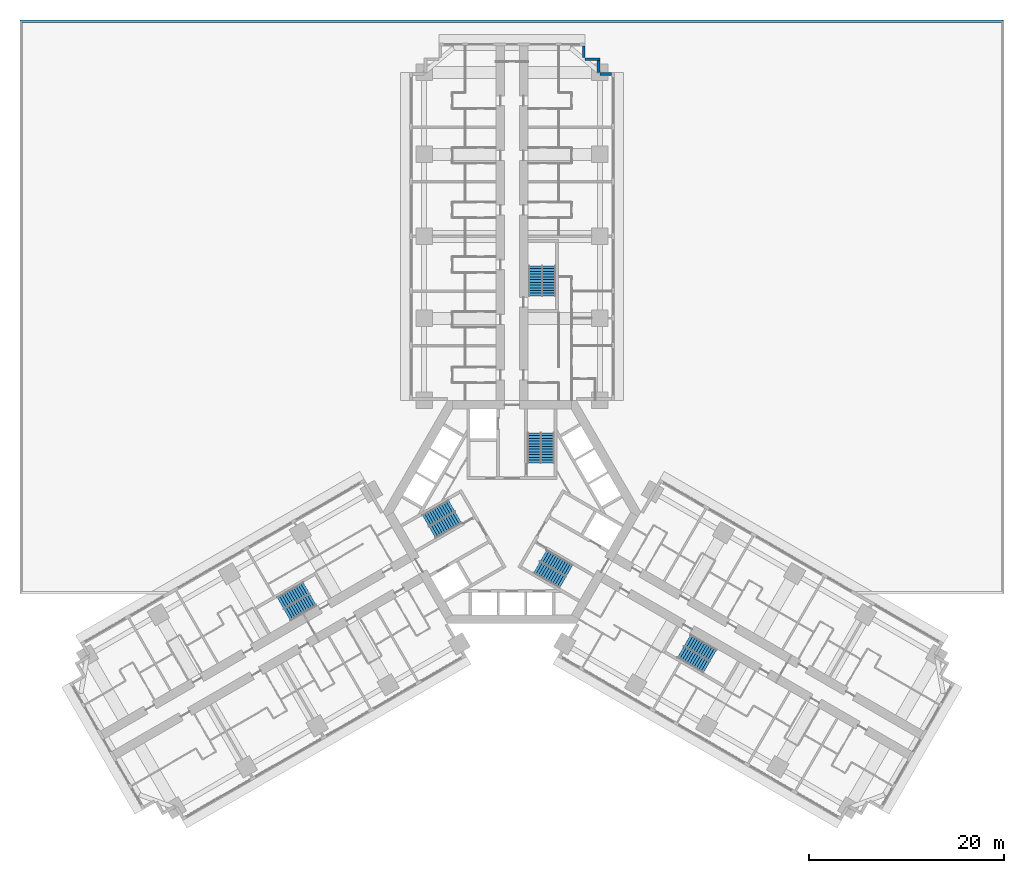
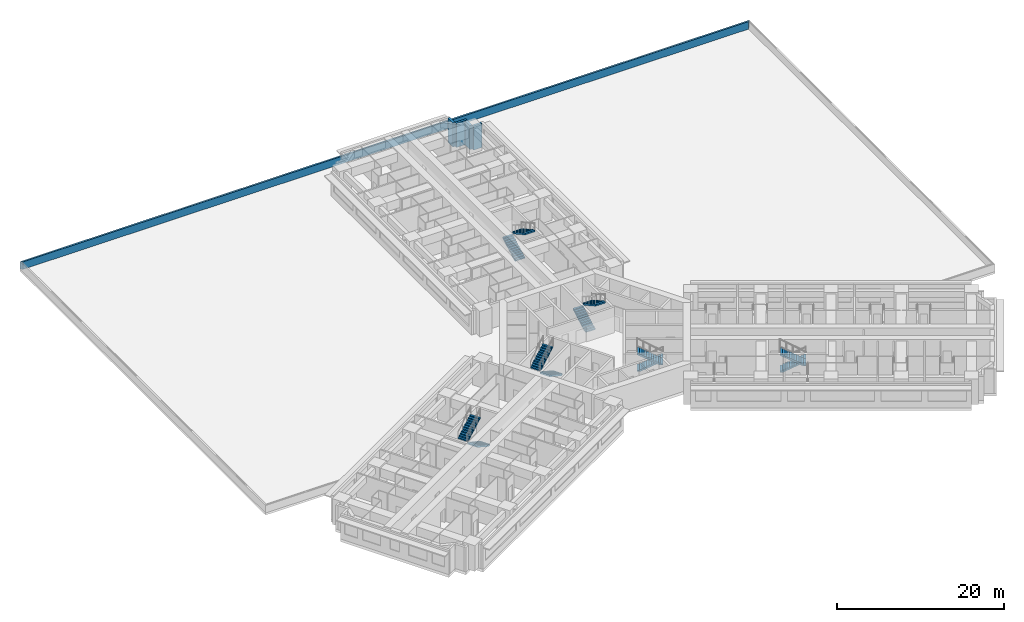
# One storey, part 15 of 18: 12 stair flights, 5 walls, 6 elements without a shape of their own.
"""IFC4 building model written with IfcOpenShell, lengths in metres."""

from ifc_helpers import new_model, si_unit, direction, frame, frame_2d, origin, place, context, subcontext, project, spatial, polyline, rectangle, outline, extrude, material, layer, layer_set, type_object, element, aggregate, save


model = new_model("IFC4")

# Units and contexts
model_context = context("Model", 3, precision=1e-05, world=origin(), true_north=direction((0.0, 1.0)))
body_context = subcontext(model_context, "Body", "Model", "MODEL_VIEW")
ifc_project = project(units=[si_unit("LENGTHUNIT", "METRE"), si_unit("AREAUNIT", "SQUARE_METRE"), si_unit("VOLUMEUNIT", "CUBIC_METRE"), si_unit("PLANEANGLEUNIT", "RADIAN"), si_unit("MASSUNIT", "GRAM", prefix="KILO")], contexts=[model_context])

# Site, building, storey
site_placement = place(None, origin())
site = spatial("IfcSite", under=ifc_project, at=site_placement, CompositionType="ELEMENT")
building_placement = place(site_placement, origin())
building = spatial("IfcBuilding", under=site, at=building_placement, Name="Impinga Residences", CompositionType="ELEMENT")
storey_placement = place(building_placement, frame((0.0, 0.0, 26.0)))
storey = spatial("IfcBuildingStorey", under=building, at=storey_placement, Name="L05", CompositionType="ELEMENT", Elevation=26.0)

# Walls
ifc_material_1 = material(Name="Terracotta rainscreen on blockwork", Category="masonry")
ifc_layer_1 = layer(ifc_material_1, 0.300048828125)
ifc_layer_set_1 = layer_set([ifc_layer_1], Name="EW1 external wall, terracotta rainscreen on blockwork 300")
wall_type_1 = type_object("IfcWallType", Name="EW1 external wall, terracotta rainscreen on blockwork 300", PredefinedType="SOLIDWALL", material=ifc_layer_set_1)
wall_1_placement = place(storey_placement, frame((7.35009765625, 47.7314453125, 0.0), z_axis=(0.0, 0.0, 1.0), x_axis=(0.0, -1.0, 0.0)))
element("IfcWall", 1, at=wall_1_placement, inside=storey, type_object=wall_type_1, Name="External wall EW1 L05", PredefinedType="SOLIDWALL", context=body_context, shape_type="SweptSolid", body=[
    extrude(rectangle(XDim=1.19482421875, YDim=0.300048828125, at=frame_2d((0.597412109375, 0.0))), origin(), (0.0, 0.0, 1.0), 3.530029296875),
])
wall_2_placement = place(storey_placement, frame((7.5, 46.381591796875, 0.0), z_axis=(0.0, 0.0, 1.0), x_axis=(1.0, 0.0, 0.0)))
element("IfcWall", 2, at=wall_2_placement, inside=storey, type_object=wall_type_1, Name="External wall EW1 L05", PredefinedType="SOLIDWALL", context=body_context, shape_type="SweptSolid", body=[
    extrude(rectangle(XDim=1.5, YDim=0.300048828125, at=frame_2d((0.75, 0.0))), origin(), (0.0, 0.0, 1.0), 3.530029296875),
])
wall_3_placement = place(storey_placement, frame((8.85009765625, 46.2314453125, 0.0), z_axis=(0.0, 0.0, 1.0), x_axis=(0.0, -1.0, 0.0)))
element("IfcWall", 3, at=wall_3_placement, inside=storey, type_object=wall_type_1, Name="External wall EW1 L05", PredefinedType="SOLIDWALL", context=body_context, shape_type="SweptSolid", body=[
    extrude(rectangle(XDim=1.199951171875, YDim=0.300048828125, at=frame_2d((0.60009765625, 0.0))), origin(), (0.0, 0.0, 1.0), 3.530029296875),
])
wall_4_placement = place(storey_placement, frame((9.0048828125, 44.881591796875, 0.0), z_axis=(0.0, 0.0, 1.0), x_axis=(1.0, 0.0, 0.0)))
element("IfcWall", 4, at=wall_4_placement, inside=storey, type_object=wall_type_1, Name="External wall EW1 L05", PredefinedType="SOLIDWALL", context=body_context, shape_type="SweptSolid", body=[
    extrude(rectangle(XDim=1.195068359375, YDim=0.300048828125, at=frame_2d((0.59765625, 0.0))), origin(), (0.0, 0.0, 1.0), 3.530029296875),
])
ifc_material_2 = material(Name="Concrete C60/75", Category="concrete")
ifc_layer_2 = layer(ifc_material_2, 0.25)
ifc_layer_set_2 = layer_set([ifc_layer_2], Name="Concrete C60/75")
wall_type_2 = type_object("IfcWallType", Name="PA1 roof parapet 250", PredefinedType="PARAPET", material=ifc_layer_set_2)
wall_5_placement = place(storey_placement, origin())
element("IfcWall", 5, at=wall_5_placement, inside=storey, type_object=wall_type_2, Name="Parapet PA1 L05", PredefinedType="PARAPET", context=body_context, shape_type="SweptSolid", body=[
    extrude(outline(polyline([(-50.39990234375, 50.39990234375), (50.39990234375, 50.39990234375), (50.14990234375, 50.14990234375), (-50.14990234375, 50.14990234375), (-50.39990234375, 50.39990234375)])), origin(), (0.0, 0.0, 1.0), 1.10009765625),
])

# Stair, stair flights
ifc_material_3 = material(Name="Concrete C40/50", Category="concrete")
stair_type_1 = type_object("IfcStairType", Name="STR core stair 3750 storey, 24 risers", PredefinedType="HALF_TURN_STAIR", material=ifc_material_3)
stair_1_placement = place(storey_placement, origin())
stair_1 = element("IfcStair", 6, at=stair_1_placement, inside=storey, type_object=stair_type_1, Name="Stair ST1 L05", PredefinedType="HALF_TURN_STAIR")
stair_flight_type = type_object("IfcStairFlightType", Name="SF 12 risers of 156", PredefinedType="STRAIGHT", material=ifc_material_3)
stair_flight_1_placement = place(storey_placement, frame((2.27490234375, 5.030029296875, 0.0), z_axis=(0.0, 0.0, 1.0), x_axis=(0.0, 1.0, 0.0)))
stair_flight_1 = element("IfcStairFlight", 7, at=stair_flight_1_placement, type_object=stair_flight_type, Name="ST1 flight 1", NumberOfRisers=12, NumberOfTreads=11, PredefinedType="STRAIGHT", RiserHeight=0.15625, TreadLength=0.28, context=body_context, shape_type="SweptSolid", body=[
    extrude(outline(polyline([(0.0, 0.0), (0.0, 0.15625), (0.280029296875, 0.15625), (0.280029296875, 0.3125), (0.56005859375, 0.3125), (0.56005859375, 0.46875), (0.840087890625, 0.46875), (0.840087890625, 0.625), (1.1201171875, 0.625), (1.1201171875, 0.78125), (1.39990234375, 0.78125), (1.39990234375, 0.9375), (1.679931640625, 0.9375), (1.679931640625, 1.09375), (1.9599609375, 1.09375), (1.9599609375, 1.25), (2.239990234375, 1.25), (2.239990234375, 1.40625), (2.52001953125, 1.40625), (2.52001953125, 1.5625), (2.800048828125, 1.5625), (2.800048828125, 1.71875), (3.080078125, 1.71875), (3.080078125, 1.875), (3.080078125, 1.5126953125), (0.369140625, 0.0), (0.0, 0.0)])), frame((0.0, 0.675048828125, 0.0), z_axis=(0.0, -1.0, 0.0), x_axis=(1.0, 0.0, 0.0)), (0.0, 0.0, 1.0), 1.35009765625),
])
stair_flight_2_placement = place(storey_placement, frame((3.625, 8.110107421875, 1.875), z_axis=(0.0, 0.0, 1.0), x_axis=(0.0, -1.0, 0.0)))
stair_flight_2 = element("IfcStairFlight", 8, at=stair_flight_2_placement, type_object=stair_flight_type, Name="ST1 flight 2", NumberOfRisers=12, NumberOfTreads=11, PredefinedType="STRAIGHT", RiserHeight=0.15625, TreadLength=0.28, context=body_context, shape_type="SweptSolid", body=[
    extrude(outline(polyline([(0.0, 0.0), (0.0, 0.15625), (0.280029296875, 0.15625), (0.280029296875, 0.3125), (0.56005859375, 0.3125), (0.56005859375, 0.46875), (0.840087890625, 0.46875), (0.840087890625, 0.625), (1.1201171875, 0.625), (1.1201171875, 0.78125), (1.39990234375, 0.78125), (1.39990234375, 0.9375), (1.679931640625, 0.9375), (1.679931640625, 1.09375), (1.9599609375, 1.09375), (1.9599609375, 1.25), (2.239990234375, 1.25), (2.239990234375, 1.40625), (2.52001953125, 1.40625), (2.52001953125, 1.5625), (2.800048828125, 1.5625), (2.800048828125, 1.71875), (3.080078125, 1.71875), (3.080078125, 1.875), (3.080078125, 1.5126953125), (0.369140625, 0.0), (0.0, 0.0)])), frame((0.0, 0.675048828125, 0.0), z_axis=(0.0, -1.0, 0.0), x_axis=(1.0, 0.0, 0.0)), (0.0, 0.0, 1.0), 1.35009765625),
])
aggregate(stair_1, [stair_flight_1, stair_flight_2])

stair_2_placement = place(storey_placement, origin())
stair_2 = element("IfcStair", 9, at=stair_2_placement, inside=storey, type_object=stair_type_1, Name="Stair ST2 L05", PredefinedType="HALF_TURN_STAIR")
stair_flight_3_placement = place(storey_placement, frame((-5.49365234375, -0.544677734375, 0.0), z_axis=(0.0, 0.0, 1.0), x_axis=(-0.866025403784, -0.5, 0.0)))
stair_flight_3 = element("IfcStairFlight", 10, at=stair_flight_3_placement, type_object=stair_flight_type, Name="ST2 flight 1", NumberOfRisers=12, NumberOfTreads=11, PredefinedType="STRAIGHT", RiserHeight=0.15625, TreadLength=0.28, context=body_context, shape_type="SweptSolid", body=[
    extrude(outline(polyline([(0.0, 0.0), (0.0, 0.15625), (0.280029296875, 0.15625), (0.280029296875, 0.3125), (0.56005859375, 0.3125), (0.56005859375, 0.46875), (0.840087890625, 0.46875), (0.840087890625, 0.625), (1.1201171875, 0.625), (1.1201171875, 0.78125), (1.39990234375, 0.78125), (1.39990234375, 0.9375), (1.679931640625, 0.9375), (1.679931640625, 1.09375), (1.9599609375, 1.09375), (1.9599609375, 1.25), (2.239990234375, 1.25), (2.239990234375, 1.40625), (2.52001953125, 1.40625), (2.52001953125, 1.5625), (2.800048828125, 1.5625), (2.800048828125, 1.71875), (3.080078125, 1.71875), (3.080078125, 1.875), (3.080078125, 1.5126953125), (0.369140625, 0.0), (0.0, 0.0)])), frame((0.0, 0.675048828125, 0.0), z_axis=(0.0, -1.0, 0.0), x_axis=(1.0, 0.0, 0.0)), (0.0, 0.0, 1.0), 1.35009765625),
])
stair_flight_4_placement = place(storey_placement, frame((-8.8359375, -0.915771484375, 1.875), z_axis=(0.0, 0.0, 1.0), x_axis=(0.866025403784, 0.5, 0.0)))
stair_flight_4 = element("IfcStairFlight", 11, at=stair_flight_4_placement, type_object=stair_flight_type, Name="ST2 flight 2", NumberOfRisers=12, NumberOfTreads=11, PredefinedType="STRAIGHT", RiserHeight=0.15625, TreadLength=0.28, context=body_context, shape_type="SweptSolid", body=[
    extrude(outline(polyline([(0.0, 0.0), (0.0, 0.15625), (0.280029296875, 0.15625), (0.280029296875, 0.3125), (0.56005859375, 0.3125), (0.56005859375, 0.46875), (0.840087890625, 0.46875), (0.840087890625, 0.625), (1.1201171875, 0.625), (1.1201171875, 0.78125), (1.39990234375, 0.78125), (1.39990234375, 0.9375), (1.679931640625, 0.9375), (1.679931640625, 1.09375), (1.9599609375, 1.09375), (1.9599609375, 1.25), (2.239990234375, 1.25), (2.239990234375, 1.40625), (2.52001953125, 1.40625), (2.52001953125, 1.5625), (2.800048828125, 1.5625), (2.800048828125, 1.71875), (3.080078125, 1.71875), (3.080078125, 1.875), (3.080078125, 1.5126953125), (0.369140625, 0.0), (0.0, 0.0)])), frame((0.0, 0.675048828125, 0.0), z_axis=(0.0, -1.0, 0.0), x_axis=(1.0, 0.0, 0.0)), (0.0, 0.0, 1.0), 1.35009765625),
])
aggregate(stair_2, [stair_flight_3, stair_flight_4])

stair_3_placement = place(storey_placement, origin())
stair_3 = element("IfcStair", 12, at=stair_3_placement, inside=storey, type_object=stair_type_1, Name="Stair ST3 L05", PredefinedType="HALF_TURN_STAIR")
stair_flight_5_placement = place(storey_placement, frame((3.218505859375, -4.485107421875, 0.0), z_axis=(0.0, 0.0, 1.0), x_axis=(0.866025403784, -0.5, 0.0)))
stair_flight_5 = element("IfcStairFlight", 13, at=stair_flight_5_placement, type_object=stair_flight_type, Name="ST3 flight 1", NumberOfRisers=12, NumberOfTreads=11, PredefinedType="STRAIGHT", RiserHeight=0.15625, TreadLength=0.28, context=body_context, shape_type="SweptSolid", body=[
    extrude(outline(polyline([(0.0, 0.0), (0.0, 0.15625), (0.280029296875, 0.15625), (0.280029296875, 0.3125), (0.56005859375, 0.3125), (0.56005859375, 0.46875), (0.840087890625, 0.46875), (0.840087890625, 0.625), (1.1201171875, 0.625), (1.1201171875, 0.78125), (1.39990234375, 0.78125), (1.39990234375, 0.9375), (1.679931640625, 0.9375), (1.679931640625, 1.09375), (1.9599609375, 1.09375), (1.9599609375, 1.25), (2.239990234375, 1.25), (2.239990234375, 1.40625), (2.52001953125, 1.40625), (2.52001953125, 1.5625), (2.800048828125, 1.5625), (2.800048828125, 1.71875), (3.080078125, 1.71875), (3.080078125, 1.875), (3.080078125, 1.5126953125), (0.369140625, 0.0), (0.0, 0.0)])), frame((0.0, 0.675048828125, 0.0), z_axis=(0.0, -1.0, 0.0), x_axis=(1.0, 0.0, 0.0)), (0.0, 0.0, 1.0), 1.35009765625),
])
stair_flight_6_placement = place(storey_placement, frame((5.2109375, -7.1943359375, 1.875), z_axis=(0.0, 0.0, 1.0), x_axis=(-0.866025403784, 0.5, 0.0)))
stair_flight_6 = element("IfcStairFlight", 14, at=stair_flight_6_placement, type_object=stair_flight_type, Name="ST3 flight 2", NumberOfRisers=12, NumberOfTreads=11, PredefinedType="STRAIGHT", RiserHeight=0.15625, TreadLength=0.28, context=body_context, shape_type="SweptSolid", body=[
    extrude(outline(polyline([(0.0, 0.0), (0.0, 0.15625), (0.280029296875, 0.15625), (0.280029296875, 0.3125), (0.56005859375, 0.3125), (0.56005859375, 0.46875), (0.840087890625, 0.46875), (0.840087890625, 0.625), (1.1201171875, 0.625), (1.1201171875, 0.78125), (1.39990234375, 0.78125), (1.39990234375, 0.9375), (1.679931640625, 0.9375), (1.679931640625, 1.09375), (1.9599609375, 1.09375), (1.9599609375, 1.25), (2.239990234375, 1.25), (2.239990234375, 1.40625), (2.52001953125, 1.40625), (2.52001953125, 1.5625), (2.800048828125, 1.5625), (2.800048828125, 1.71875), (3.080078125, 1.71875), (3.080078125, 1.875), (3.080078125, 1.5126953125), (0.369140625, 0.0), (0.0, 0.0)])), frame((0.0, 0.675048828125, 0.0), z_axis=(0.0, -1.0, 0.0), x_axis=(1.0, 0.0, 0.0)), (0.0, 0.0, 1.0), 1.35009765625),
])
aggregate(stair_3, [stair_flight_5, stair_flight_6])

stair_type_2 = type_object("IfcStairType", Name="STR wing stair 3750 storey, 24 risers", PredefinedType="HALF_TURN_STAIR", material=ifc_material_3)
stair_4_placement = place(storey_placement, origin())
stair_4 = element("IfcStair", 15, at=stair_4_placement, inside=storey, type_object=stair_type_2, Name="Stair WS1 L05", PredefinedType="HALF_TURN_STAIR")
stair_flight_7_placement = place(storey_placement, frame((2.425048828125, 22.131591796875, 0.0), z_axis=(0.0, 0.0, 1.0), x_axis=(0.0, 1.0, 0.0)))
stair_flight_7 = element("IfcStairFlight", 16, at=stair_flight_7_placement, type_object=stair_flight_type, Name="WS1 flight 1", NumberOfRisers=12, NumberOfTreads=11, PredefinedType="STRAIGHT", RiserHeight=0.15625, TreadLength=0.28, context=body_context, shape_type="SweptSolid", body=[
    extrude(outline(polyline([(0.0, 0.0), (0.0, 0.15625), (0.280029296875, 0.15625), (0.280029296875, 0.3125), (0.56005859375, 0.3125), (0.56005859375, 0.46875), (0.840087890625, 0.46875), (0.840087890625, 0.625), (1.1201171875, 0.625), (1.1201171875, 0.78125), (1.39990234375, 0.78125), (1.39990234375, 0.9375), (1.679931640625, 0.9375), (1.679931640625, 1.09375), (1.9599609375, 1.09375), (1.9599609375, 1.25), (2.239990234375, 1.25), (2.239990234375, 1.40625), (2.52001953125, 1.40625), (2.52001953125, 1.5625), (2.800048828125, 1.5625), (2.800048828125, 1.71875), (3.080078125, 1.71875), (3.080078125, 1.875), (3.080078125, 1.5126953125), (0.369140625, 0.0), (0.0, 0.0)])), frame((0.0, 0.675048828125, 0.0), z_axis=(0.0, -1.0, 0.0), x_axis=(1.0, 0.0, 0.0)), (0.0, 0.0, 1.0), 1.35009765625),
])
stair_flight_8_placement = place(storey_placement, frame((3.77490234375, 25.21142578125, 1.875), z_axis=(0.0, 0.0, 1.0), x_axis=(0.0, -1.0, 0.0)))
stair_flight_8 = element("IfcStairFlight", 17, at=stair_flight_8_placement, type_object=stair_flight_type, Name="WS1 flight 2", NumberOfRisers=12, NumberOfTreads=11, PredefinedType="STRAIGHT", RiserHeight=0.15625, TreadLength=0.28, context=body_context, shape_type="SweptSolid", body=[
    extrude(outline(polyline([(0.0, 0.0), (0.0, 0.15625), (0.280029296875, 0.15625), (0.280029296875, 0.3125), (0.56005859375, 0.3125), (0.56005859375, 0.46875), (0.840087890625, 0.46875), (0.840087890625, 0.625), (1.1201171875, 0.625), (1.1201171875, 0.78125), (1.39990234375, 0.78125), (1.39990234375, 0.9375), (1.679931640625, 0.9375), (1.679931640625, 1.09375), (1.9599609375, 1.09375), (1.9599609375, 1.25), (2.239990234375, 1.25), (2.239990234375, 1.40625), (2.52001953125, 1.40625), (2.52001953125, 1.5625), (2.800048828125, 1.5625), (2.800048828125, 1.71875), (3.080078125, 1.71875), (3.080078125, 1.875), (3.080078125, 1.5126953125), (0.369140625, 0.0), (0.0, 0.0)])), frame((0.0, 0.675048828125, 0.0), z_axis=(0.0, -1.0, 0.0), x_axis=(1.0, 0.0, 0.0)), (0.0, 0.0, 1.0), 1.35009765625),
])
aggregate(stair_4, [stair_flight_7, stair_flight_8])

stair_5_placement = place(storey_placement, origin())
stair_5 = element("IfcStair", 18, at=stair_5_placement, inside=storey, type_object=stair_type_2, Name="Stair WS2 L05", PredefinedType="HALF_TURN_STAIR")
stair_flight_9_placement = place(storey_placement, frame((-20.37890625, -8.965576171875, 0.0), z_axis=(0.0, 0.0, 1.0), x_axis=(-0.866025403784, -0.5, 0.0)))
stair_flight_9 = element("IfcStairFlight", 19, at=stair_flight_9_placement, type_object=stair_flight_type, Name="WS2 flight 1", NumberOfRisers=12, NumberOfTreads=11, PredefinedType="STRAIGHT", RiserHeight=0.15625, TreadLength=0.28, context=body_context, shape_type="SweptSolid", body=[
    extrude(outline(polyline([(0.0, 0.0), (0.0, 0.15625), (0.280029296875, 0.15625), (0.280029296875, 0.3125), (0.56005859375, 0.3125), (0.56005859375, 0.46875), (0.840087890625, 0.46875), (0.840087890625, 0.625), (1.1201171875, 0.625), (1.1201171875, 0.78125), (1.39990234375, 0.78125), (1.39990234375, 0.9375), (1.679931640625, 0.9375), (1.679931640625, 1.09375), (1.9599609375, 1.09375), (1.9599609375, 1.25), (2.239990234375, 1.25), (2.239990234375, 1.40625), (2.52001953125, 1.40625), (2.52001953125, 1.5625), (2.800048828125, 1.5625), (2.800048828125, 1.71875), (3.080078125, 1.71875), (3.080078125, 1.875), (3.080078125, 1.5126953125), (0.369140625, 0.0), (0.0, 0.0)])), frame((0.0, 0.675048828125, 0.0), z_axis=(0.0, -1.0, 0.0), x_axis=(1.0, 0.0, 0.0)), (0.0, 0.0, 1.0), 1.35009765625),
])
stair_flight_10_placement = place(storey_placement, frame((-23.721435546875, -9.33642578125, 1.875), z_axis=(0.0, 0.0, 1.0), x_axis=(0.866025403784, 0.5, 0.0)))
stair_flight_10 = element("IfcStairFlight", 20, at=stair_flight_10_placement, type_object=stair_flight_type, Name="WS2 flight 2", NumberOfRisers=12, NumberOfTreads=11, PredefinedType="STRAIGHT", RiserHeight=0.15625, TreadLength=0.28, context=body_context, shape_type="SweptSolid", body=[
    extrude(outline(polyline([(0.0, 0.0), (0.0, 0.15625), (0.280029296875, 0.15625), (0.280029296875, 0.3125), (0.56005859375, 0.3125), (0.56005859375, 0.46875), (0.840087890625, 0.46875), (0.840087890625, 0.625), (1.1201171875, 0.625), (1.1201171875, 0.78125), (1.39990234375, 0.78125), (1.39990234375, 0.9375), (1.679931640625, 0.9375), (1.679931640625, 1.09375), (1.9599609375, 1.09375), (1.9599609375, 1.25), (2.239990234375, 1.25), (2.239990234375, 1.40625), (2.52001953125, 1.40625), (2.52001953125, 1.5625), (2.800048828125, 1.5625), (2.800048828125, 1.71875), (3.080078125, 1.71875), (3.080078125, 1.875), (3.080078125, 1.5126953125), (0.369140625, 0.0), (0.0, 0.0)])), frame((0.0, 0.675048828125, 0.0), z_axis=(0.0, -1.0, 0.0), x_axis=(1.0, 0.0, 0.0)), (0.0, 0.0, 1.0), 1.35009765625),
])
aggregate(stair_5, [stair_flight_9, stair_flight_10])

stair_6_placement = place(storey_placement, origin())
stair_6 = element("IfcStair", 21, at=stair_6_placement, inside=storey, type_object=stair_type_2, Name="Stair WS3 L05", PredefinedType="HALF_TURN_STAIR")
stair_flight_11_placement = place(storey_placement, frame((17.953857421875, -13.165771484375, 0.0), z_axis=(0.0, 0.0, 1.0), x_axis=(0.866025403784, -0.5, 0.0)))
stair_flight_11 = element("IfcStairFlight", 22, at=stair_flight_11_placement, type_object=stair_flight_type, Name="WS3 flight 1", NumberOfRisers=12, NumberOfTreads=11, PredefinedType="STRAIGHT", RiserHeight=0.15625, TreadLength=0.28, context=body_context, shape_type="SweptSolid", body=[
    extrude(outline(polyline([(0.0, 0.0), (0.0, 0.15625), (0.280029296875, 0.15625), (0.280029296875, 0.3125), (0.56005859375, 0.3125), (0.56005859375, 0.46875), (0.840087890625, 0.46875), (0.840087890625, 0.625), (1.1201171875, 0.625), (1.1201171875, 0.78125), (1.39990234375, 0.78125), (1.39990234375, 0.9375), (1.679931640625, 0.9375), (1.679931640625, 1.09375), (1.9599609375, 1.09375), (1.9599609375, 1.25), (2.239990234375, 1.25), (2.239990234375, 1.40625), (2.52001953125, 1.40625), (2.52001953125, 1.5625), (2.800048828125, 1.5625), (2.800048828125, 1.71875), (3.080078125, 1.71875), (3.080078125, 1.875), (3.080078125, 1.5126953125), (0.369140625, 0.0), (0.0, 0.0)])), frame((0.0, 0.675048828125, 0.0), z_axis=(0.0, -1.0, 0.0), x_axis=(1.0, 0.0, 0.0)), (0.0, 0.0, 1.0), 1.35009765625),
])
stair_flight_12_placement = place(storey_placement, frame((19.9462890625, -15.875, 1.875), z_axis=(0.0, 0.0, 1.0), x_axis=(-0.866025403784, 0.5, 0.0)))
stair_flight_12 = element("IfcStairFlight", 23, at=stair_flight_12_placement, type_object=stair_flight_type, Name="WS3 flight 2", NumberOfRisers=12, NumberOfTreads=11, PredefinedType="STRAIGHT", RiserHeight=0.15625, TreadLength=0.28, context=body_context, shape_type="SweptSolid", body=[
    extrude(outline(polyline([(0.0, 0.0), (0.0, 0.15625), (0.280029296875, 0.15625), (0.280029296875, 0.3125), (0.56005859375, 0.3125), (0.56005859375, 0.46875), (0.840087890625, 0.46875), (0.840087890625, 0.625), (1.1201171875, 0.625), (1.1201171875, 0.78125), (1.39990234375, 0.78125), (1.39990234375, 0.9375), (1.679931640625, 0.9375), (1.679931640625, 1.09375), (1.9599609375, 1.09375), (1.9599609375, 1.25), (2.239990234375, 1.25), (2.239990234375, 1.40625), (2.52001953125, 1.40625), (2.52001953125, 1.5625), (2.800048828125, 1.5625), (2.800048828125, 1.71875), (3.080078125, 1.71875), (3.080078125, 1.875), (3.080078125, 1.5126953125), (0.369140625, 0.0), (0.0, 0.0)])), frame((0.0, 0.675048828125, 0.0), z_axis=(0.0, -1.0, 0.0), x_axis=(1.0, 0.0, 0.0)), (0.0, 0.0, 1.0), 1.35009765625),
])
aggregate(stair_6, [stair_flight_11, stair_flight_12])

save(model, "model.ifc")
